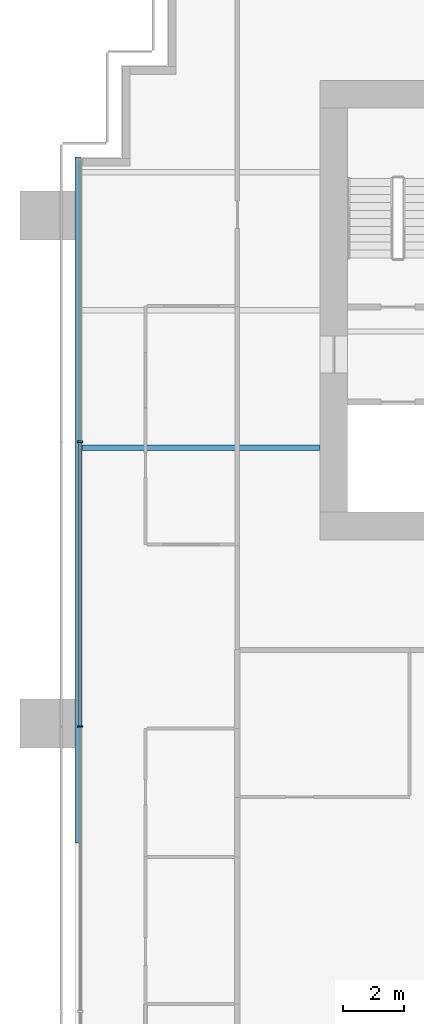
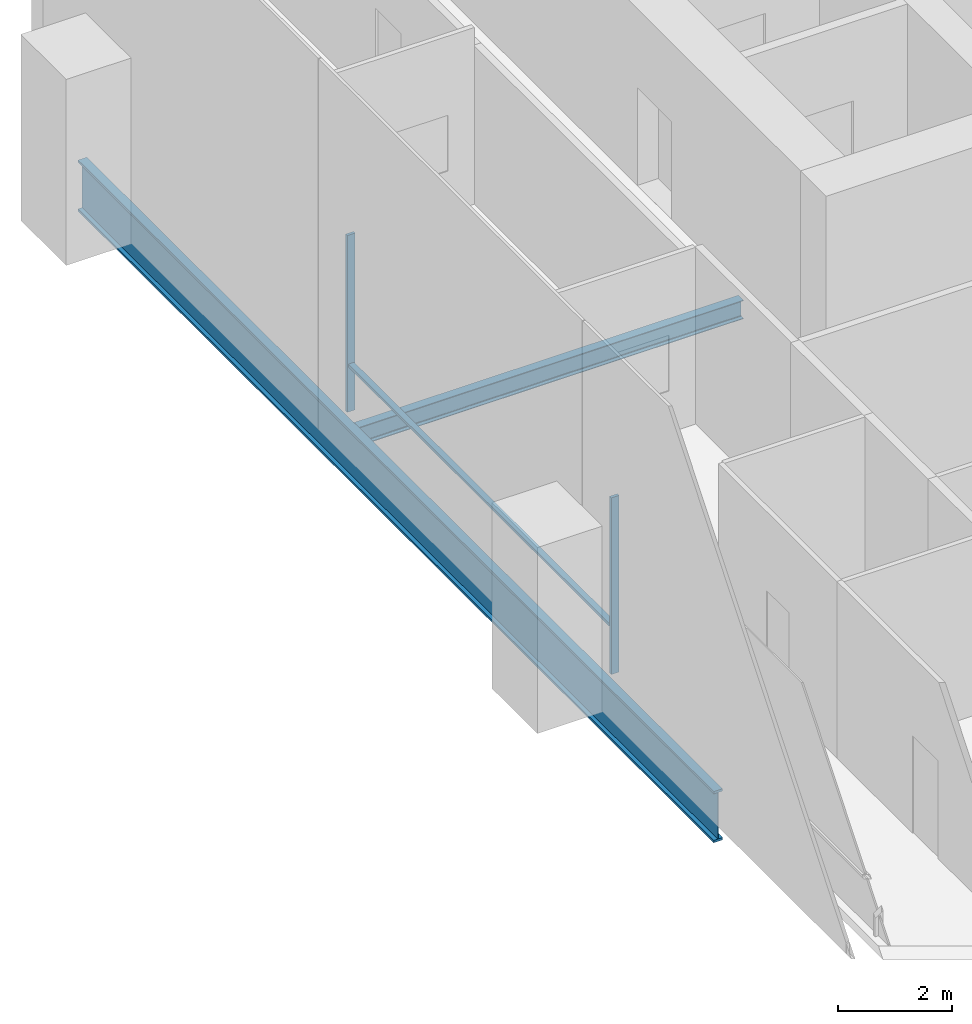
# One storey, part 4 of 19: 3 members, 2 beams, 1 element without a shape of its own.
"""IFC4 building model written with IfcOpenShell, lengths in metres."""

from ifc_helpers import new_model, si_unit, direction, frame, origin, origin_2d, place, context, subcontext, project, spatial, rectangle, i_section, extrude, material, material_profile, profile_set, type_object, element, aggregate, save


model = new_model("IFC4")

# Units and contexts
model_context = context("Model", 3, precision=1e-05, world=origin(), true_north=direction((0.0, 1.0)))
body_context = subcontext(model_context, "Body", "Model", "MODEL_VIEW")
ifc_project = project(units=[si_unit("LENGTHUNIT", "METRE"), si_unit("AREAUNIT", "SQUARE_METRE"), si_unit("VOLUMEUNIT", "CUBIC_METRE"), si_unit("PLANEANGLEUNIT", "RADIAN"), si_unit("MASSUNIT", "GRAM", prefix="KILO")], contexts=[model_context])

# Site, building, storey
site_placement = place(None, origin())
site = spatial("IfcSite", under=ifc_project, at=site_placement, CompositionType="ELEMENT")
building_placement = place(site_placement, origin())
building = spatial("IfcBuilding", under=site, at=building_placement, Name="Rattan Terrace Tower", CompositionType="ELEMENT")
storey_placement = place(building_placement, frame((0.0, 0.0, 91.699951171875)))
storey = spatial("IfcBuildingStorey", under=building, at=storey_placement, Name="L20", CompositionType="ELEMENT", Elevation=91.699951171875)

# Curtain wall, members
ifc_material_1 = material(Name="Aluminium and glass", Category="aluminium")
curtain_wall_type = type_object("IfcCurtainWallType", Name="Facade Unitised Curtain Wall", PredefinedType="NOTDEFINED", material=ifc_material_1)
curtain_wall_placement = place(storey_placement, origin())
curtain_wall = element("IfcCurtainWall", 1, at=curtain_wall_placement, inside=storey, type_object=curtain_wall_type, Name="Curtain wall L20-3", PredefinedType="NOTDEFINED")
ifc_material_2 = material(Name="Aluminium", Category="aluminium")
ifc_material_profile_1 = material_profile(ifc_material_2, rectangle(XDim=0.06005859375, YDim=0.159912109375, at=origin_2d()), Name="Aluminium 60x160")
ifc_profile_set_1 = profile_set([ifc_material_profile_1], Name="Aluminium")
member_type_1 = type_object("IfcMemberType", Name="Facade CW Mullion 60x160", PredefinedType="MULLION", material=ifc_profile_set_1)
member_1_placement = place(storey_placement, frame((-25.830078125, -4.300048828125, 0.0), z_axis=(0.0, 0.0, 1.0), x_axis=(0.0, -1.0, 0.0)))
member_1 = element("IfcMember", 2, at=member_1_placement, type_object=member_type_1, Name="Mullion cwl-L20-003.2", PredefinedType="MULLION", context=body_context, shape_type="SweptSolid", body=[
    extrude(rectangle(XDim=0.06005859375, YDim=0.159912109375, at=origin_2d()), origin(), (0.0, 0.0, 1.0), 3.800048828125),
])
member_2_placement = place(storey_placement, frame((-25.830078125, -13.60009765625, 0.0), z_axis=(0.0, 0.0, 1.0), x_axis=(0.0, -1.0, 0.0)))
member_2 = element("IfcMember", 3, at=member_2_placement, type_object=member_type_1, Name="Mullion cwl-L20-003.3", PredefinedType="MULLION", context=body_context, shape_type="SweptSolid", body=[
    extrude(rectangle(XDim=0.06005859375, YDim=0.159912109375, at=origin_2d()), origin(), (0.0, 0.0, 1.0), 3.800048828125),
])
ifc_material_3 = material(Name="Aluminium", Category="aluminium")
ifc_material_profile_2 = material_profile(ifc_material_3, rectangle(XDim=0.1201171875, YDim=0.06005859375, at=origin_2d()), Name="Aluminium 120x60")
ifc_profile_set_2 = profile_set([ifc_material_profile_2], Name="Aluminium")
member_type_2 = type_object("IfcMemberType", Name="Facade CW Transom 120x60", PredefinedType="USERDEFINED", material=ifc_profile_set_2)
member_3_placement = place(storey_placement, frame((-25.830078125, -4.330078125, 1.0), z_axis=(0.0, -1.0, 0.0), x_axis=(1.0, 0.0, 0.0)))
member_3 = element("IfcMember", 4, at=member_3_placement, type_object=member_type_2, Name="Transom cwl-L20-003.2", ObjectType="TRANSOM", PredefinedType="USERDEFINED", context=body_context, shape_type="SweptSolid", body=[
    extrude(rectangle(XDim=0.1201171875, YDim=0.06005859375, at=origin_2d()), origin(), (0.0, 0.0, 1.0), 9.239990234375),
])
aggregate(curtain_wall, [member_1, member_2, member_3])

# Beams
ifc_material_4 = material(Name="Steel S460", Category="steel")
ifc_material_profile_3 = material_profile(ifc_material_4, i_section(OverallWidth=0.179931640625, OverallDepth=1.10009765625, WebThickness=0.01611328125, FlangeThickness=0.050048828125, at=origin_2d()), Name="PG 1100x180-16-50")
ifc_profile_set_3 = profile_set([ifc_material_profile_3], Name="Steel S460")
beam_type_1 = type_object("IfcBeamType", Name="Frame edge girder PG 1100x180-16-50", PredefinedType="SPANDREL", material=ifc_profile_set_3)
beam_1_placement = place(storey_placement, frame((-25.909912109375, -17.39990234375, -0.75), z_axis=(0.0, 1.0, 0.0), x_axis=(-1.0, 0.0, 0.0)))
element("IfcBeam", 5, at=beam_1_placement, inside=storey, type_object=beam_type_1, Name="gdr-L20-004", PredefinedType="SPANDREL", context=body_context, shape_type="SweptSolid", body=[
    extrude(i_section(OverallWidth=0.179931640625, OverallDepth=1.10009765625, WebThickness=0.01611328125, FlangeThickness=0.050048828125, at=origin_2d()), origin(), (0.0, 0.0, 1.0), 22.39990234375),
])
ifc_material_5 = material(Name="Steel S355", Category="steel")
ifc_material_profile_4 = material_profile(ifc_material_5, i_section(OverallWidth=0.179931640625, OverallDepth=0.39990234375, WebThickness=0.008544921875, FlangeThickness=0.013427734375, FilletRadius=0.02099609375, at=origin_2d()), Name="IPE 400")
ifc_profile_set_4 = profile_set([ifc_material_profile_4], Name="Steel S355")
beam_type_2 = type_object("IfcBeamType", Name="Frame floor beam IPE 400", PredefinedType="JOIST", material=ifc_profile_set_4)
beam_2_placement = place(storey_placement, frame((-25.820068359375, -4.5, -0.39990234375), z_axis=(1.0, 0.0, 0.0), x_axis=(0.0, 1.0, 0.0)))
element("IfcBeam", 6, at=beam_2_placement, inside=storey, type_object=beam_type_2, Name="bm-L20-012", PredefinedType="JOIST", context=body_context, shape_type="SweptSolid", body=[
    extrude(i_section(OverallWidth=0.179931640625, OverallDepth=0.39990234375, WebThickness=0.008544921875, FlangeThickness=0.013427734375, FilletRadius=0.02099609375, at=origin_2d()), origin(), (0.0, 0.0, 1.0), 7.820068359375),
])

save(model, "model.ifc")
